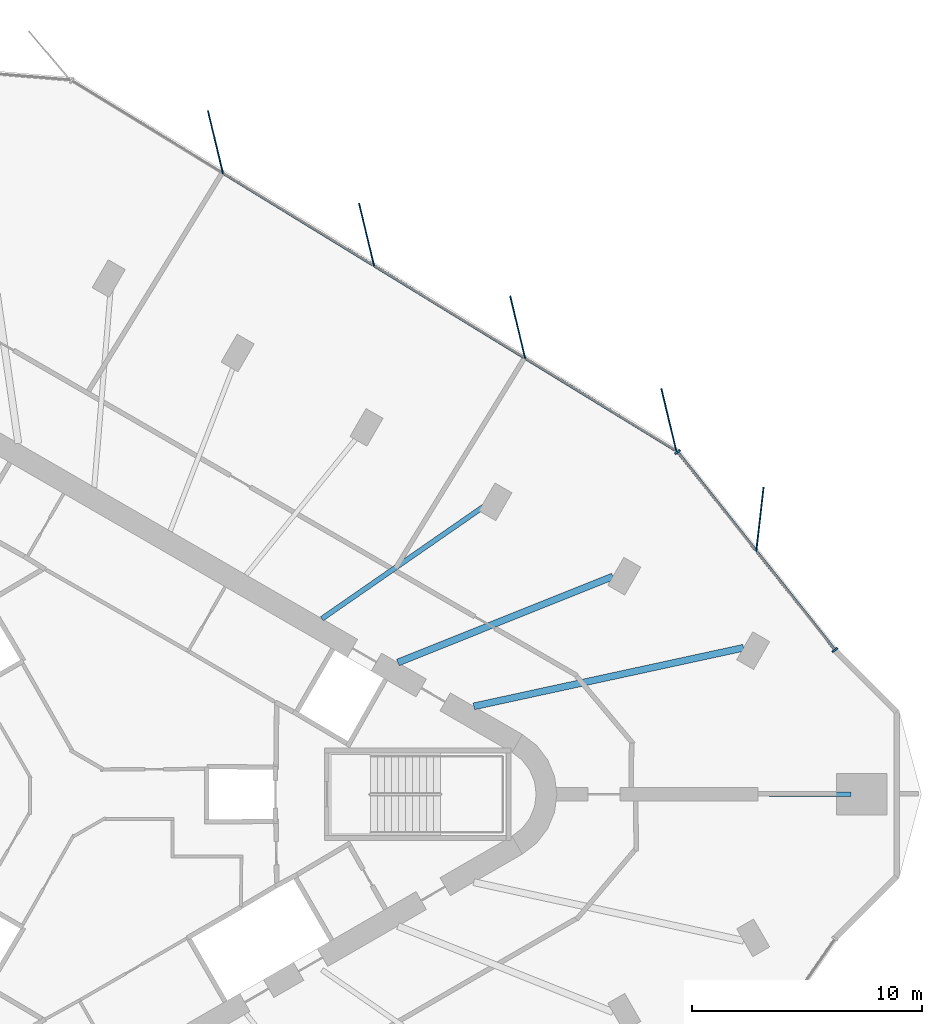
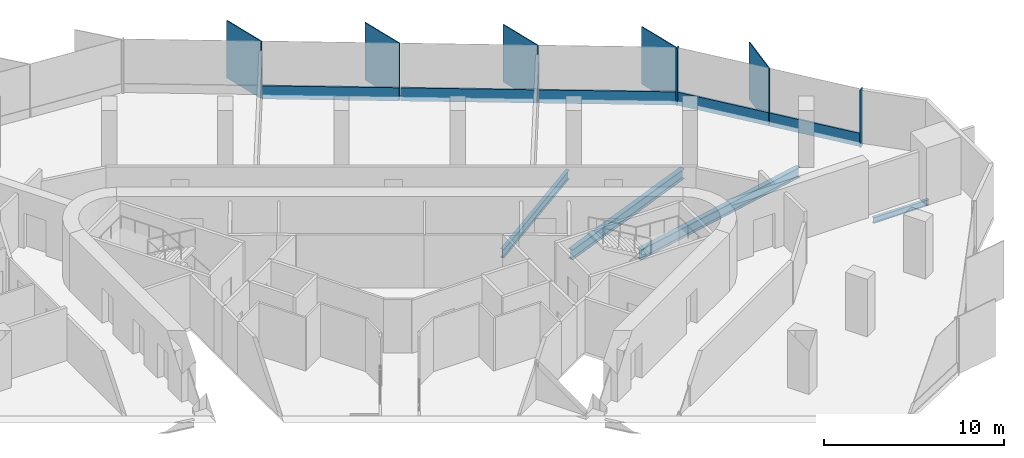
# One storey, part 5 of 13: 12 members, 4 beams, 2 elements without a shape of their own.
"""IFC4 building model written with IfcOpenShell, lengths in metres."""

from ifc_helpers import new_model, si_unit, direction, frame, origin, origin_2d, place, context, subcontext, project, spatial, rectangle, i_section, extrude, material, material_profile, profile_set, type_object, element, aggregate, save


model = new_model("IFC4")

# Units and contexts
model_context = context("Model", 3, precision=1e-05, world=origin(), true_north=direction((0.0, 1.0)))
body_context = subcontext(model_context, "Body", "Model", "MODEL_VIEW")
ifc_project = project(units=[si_unit("LENGTHUNIT", "METRE"), si_unit("AREAUNIT", "SQUARE_METRE"), si_unit("VOLUMEUNIT", "CUBIC_METRE"), si_unit("PLANEANGLEUNIT", "RADIAN"), si_unit("MASSUNIT", "GRAM", prefix="KILO")], contexts=[model_context])

# Site, building, storey
site_placement = place(None, origin())
site = spatial("IfcSite", under=ifc_project, at=site_placement, CompositionType="ELEMENT")
building_placement = place(site_placement, origin())
building = spatial("IfcBuilding", under=site, at=building_placement, Name="Tanit Gate Tower", CompositionType="ELEMENT")
storey_placement = place(building_placement, frame((0.0, 0.0, 322.10009765625)))
storey = spatial("IfcBuildingStorey", under=building, at=storey_placement, Name="L72", CompositionType="ELEMENT", Elevation=322.10009765625)

# Curtain wall, member
ifc_material_1 = material(Name="Aluminium bronze anodised and glass", Category="aluminium")
curtain_wall_type = type_object("IfcCurtainWallType", Name="Curtain wall typical high", PredefinedType="NOTDEFINED", material=ifc_material_1)
curtain_wall_1_placement = place(storey_placement, origin())
curtain_wall_1 = element("IfcCurtainWall", 1, at=curtain_wall_1_placement, inside=storey, type_object=curtain_wall_type, Name="Curtain wall L72 NE1", PredefinedType="NOTDEFINED")
ifc_material_2 = material(Name="Aluminium bronze anodised", Category="aluminium")
ifc_material_profile_1 = material_profile(ifc_material_2, rectangle(XDim=2.800048828125, YDim=0.055908203125, at=origin_2d()), Name="56x2800 bronze fin mullion")
ifc_profile_set_1 = profile_set([ifc_material_profile_1], Name="Aluminium bronze anodised")
member_type_1 = type_object("IfcMemberType", Name="FIN MULLION 56x2800 bronze", PredefinedType="MULLION", material=ifc_profile_set_1)
member_1_placement = place(storey_placement, frame((30.015869140625, 11.937255859375, -0.300048828125), z_axis=(0.0, 0.0, 1.0), x_axis=(-0.113810678884, -0.993502455645, 0.0)))
member_1 = element("IfcMember", 2, at=member_1_placement, type_object=member_type_1, Name="Fin mullion L72 NE1.2", PredefinedType="MULLION", context=body_context, shape_type="SweptSolid", body=[
    extrude(rectangle(XDim=2.800048828125, YDim=0.055908203125, at=origin_2d()), origin(), (0.0, 0.0, 1.0), 3.89990234375),
])

# Curtain wall, members
curtain_wall_2_placement = place(storey_placement, origin())
curtain_wall_2 = element("IfcCurtainWall", 3, at=curtain_wall_2_placement, inside=storey, type_object=curtain_wall_type, Name="Curtain wall L72 NE2", PredefinedType="NOTDEFINED")
member_2_placement = place(storey_placement, frame((26.061767578125, 16.259521484375, -0.300048828125), z_axis=(0.0, 0.0, 1.0), x_axis=(0.23355666729, -0.97234319207, 0.0)))
member_2 = element("IfcMember", 4, at=member_2_placement, type_object=member_type_1, Name="Fin mullion L72 NE2.1", PredefinedType="MULLION", context=body_context, shape_type="SweptSolid", body=[
    extrude(rectangle(XDim=2.800048828125, YDim=0.055908203125, at=origin_2d()), origin(), (0.0, 0.0, 1.0), 3.89990234375),
])
member_3_placement = place(storey_placement, frame((19.498046875, 20.28076171875, -0.300048828125), z_axis=(0.0, 0.0, 1.0), x_axis=(0.23355666729, -0.97234319207, 0.0)))
member_3 = element("IfcMember", 5, at=member_3_placement, type_object=member_type_1, Name="Fin mullion L72 NE2.2", PredefinedType="MULLION", context=body_context, shape_type="SweptSolid", body=[
    extrude(rectangle(XDim=2.800048828125, YDim=0.055908203125, at=origin_2d()), origin(), (0.0, 0.0, 1.0), 3.89990234375),
])
member_4_placement = place(storey_placement, frame((12.934326171875, 24.302001953125, -0.300048828125), z_axis=(0.0, 0.0, 1.0), x_axis=(0.23355666729, -0.97234319207, 0.0)))
member_4 = element("IfcMember", 6, at=member_4_placement, type_object=member_type_1, Name="Fin mullion L72 NE2.3", PredefinedType="MULLION", context=body_context, shape_type="SweptSolid", body=[
    extrude(rectangle(XDim=2.800048828125, YDim=0.055908203125, at=origin_2d()), origin(), (0.0, 0.0, 1.0), 3.89990234375),
])
member_5_placement = place(storey_placement, frame((6.37060546875, 28.3232421875, -0.300048828125), z_axis=(0.0, 0.0, 1.0), x_axis=(0.23355666729, -0.97234319207, 0.0)))
member_5 = element("IfcMember", 7, at=member_5_placement, type_object=member_type_1, Name="Fin mullion L72 NE2.4", PredefinedType="MULLION", context=body_context, shape_type="SweptSolid", body=[
    extrude(rectangle(XDim=2.800048828125, YDim=0.055908203125, at=origin_2d()), origin(), (0.0, 0.0, 1.0), 3.89990234375),
])

# Member
ifc_material_3 = material(Name="Aluminium bronze anodised", Category="aluminium")
ifc_material_profile_2 = material_profile(ifc_material_3, rectangle(XDim=0.280029296875, YDim=0.080078125, at=origin_2d()), Name="80x280 bronze mullion")
ifc_profile_set_2 = profile_set([ifc_material_profile_2], Name="Aluminium bronze anodised")
member_type_2 = type_object("IfcMemberType", Name="Mullion 80x280 typical high", PredefinedType="MULLION", material=ifc_profile_set_2)
member_6_placement = place(storey_placement, frame((33.2744140625, 6.2666015625, -0.300048828125), z_axis=(0.0, 0.0, 1.0), x_axis=(-0.782988626322, -0.622036020701, 0.0)))
member_6 = element("IfcMember", 8, at=member_6_placement, type_object=member_type_2, Name="Mullion L72 NE1.1", PredefinedType="MULLION", context=body_context, shape_type="SweptSolid", body=[
    extrude(rectangle(XDim=0.280029296875, YDim=0.080078125, at=origin_2d()), origin(), (0.0, 0.0, 1.0), 3.89990234375),
])

member_7_placement = place(storey_placement, frame((26.443115234375, 14.865478515625, -0.300048828125), z_axis=(0.0, 0.0, 1.0), x_axis=(-0.782988626322, -0.622036020701, 0.0)))
member_7 = element("IfcMember", 9, at=member_7_placement, type_object=member_type_2, Name="Mullion L72 NE1.3", PredefinedType="MULLION", context=body_context, shape_type="SweptSolid", body=[
    extrude(rectangle(XDim=0.280029296875, YDim=0.080078125, at=origin_2d()), origin(), (0.0, 0.0, 1.0), 3.89990234375),
])

# Beams
ifc_material_4 = material(Name="Steel S355", Category="steel")
ifc_material_profile_3 = material_profile(ifc_material_4, i_section(OverallWidth=0.300048828125, OverallDepth=0.68994140625, WebThickness=0.014404296875, FlangeThickness=0.027099609375, FilletRadius=0.027099609375, at=origin_2d()), Name="HEA 700")
ifc_profile_set_3 = profile_set([ifc_material_profile_3], Name="Steel S355")
beam_type_1 = type_object("IfcBeamType", Name="RADIAL GIRDER HEA 700 S355", PredefinedType="BEAM", material=ifc_profile_set_3)
beam_1_placement = place(storey_placement, frame((29.306396484375, 6.36279296875, -0.64501953125), z_axis=(-0.977231463817, -0.212176026275, 0.0), x_axis=(0.212176026275, -0.977231463817, 0.0)))
element("IfcBeam", 10, at=beam_1_placement, inside=storey, type_object=beam_type_1, Name="RADIAL GIRDER", PredefinedType="BEAM", context=body_context, shape_type="SweptSolid", body=[
    extrude(i_section(OverallWidth=0.300048828125, OverallDepth=0.68994140625, WebThickness=0.014404296875, FlangeThickness=0.027099609375, FilletRadius=0.027099609375, at=origin_2d()), origin(), (0.0, 0.0, 1.0), 11.98974609375),
])
beam_2_placement = place(storey_placement, frame((23.631103515625, 9.461181640625, -0.64501953125), z_axis=(-0.928359475125, -0.371683581753, 0.0), x_axis=(0.371683581753, -0.928359475125, 0.0)))
element("IfcBeam", 11, at=beam_2_placement, inside=storey, type_object=beam_type_1, Name="RADIAL GIRDER", PredefinedType="BEAM", context=body_context, shape_type="SweptSolid", body=[
    extrude(i_section(OverallWidth=0.300048828125, OverallDepth=0.68994140625, WebThickness=0.014404296875, FlangeThickness=0.027099609375, FilletRadius=0.027099609375, at=origin_2d()), origin(), (0.0, 0.0, 1.0), 10.05908203125),
])
ifc_material_5 = material(Name="Steel S355", Category="steel")
ifc_material_profile_4 = material_profile(ifc_material_5, i_section(OverallWidth=0.179931640625, OverallDepth=0.39990234375, WebThickness=0.008544921875, FlangeThickness=0.013427734375, FilletRadius=0.02099609375, at=origin_2d()), Name="IPE 400")
ifc_profile_set_4 = profile_set([ifc_material_profile_4], Name="Steel S355")
beam_type_2 = type_object("IfcBeamType", Name="RADIAL GIRDER IPE 400 S355", PredefinedType="BEAM", material=ifc_profile_set_4)
beam_3_placement = place(storey_placement, frame((33.98291015625, 0.0, -0.5), z_axis=(-1.0, 0.0, 0.0), x_axis=(0.0, -1.0, 0.0)))
element("IfcBeam", 12, at=beam_3_placement, inside=storey, type_object=beam_type_2, Name="RADIAL GIRDER", PredefinedType="BEAM", context=body_context, shape_type="SweptSolid", body=[
    extrude(i_section(OverallWidth=0.179931640625, OverallDepth=0.39990234375, WebThickness=0.008544921875, FlangeThickness=0.013427734375, FilletRadius=0.02099609375, at=origin_2d()), origin(), (0.0, 0.0, 1.0), 3.5791015625),
])
ifc_material_6 = material(Name="Steel S355", Category="steel")
ifc_material_profile_5 = material_profile(ifc_material_6, i_section(OverallWidth=0.219970703125, OverallDepth=0.60009765625, WebThickness=0.011962890625, FlangeThickness=0.01904296875, FilletRadius=0.02392578125, at=origin_2d()), Name="IPE 600")
ifc_profile_set_5 = profile_set([ifc_material_profile_5], Name="Steel S355")
beam_type_3 = type_object("IfcBeamType", Name="RADIAL GIRDER IPE 600 S355", PredefinedType="BEAM", material=ifc_profile_set_5)
beam_4_placement = place(storey_placement, frame((18.03564453125, 12.50732421875, -0.60009765625), z_axis=(-0.821738455581, -0.569864817847, 0.0), x_axis=(0.569864817847, -0.821738455581, 0.0)))
element("IfcBeam", 13, at=beam_4_placement, inside=storey, type_object=beam_type_3, Name="RADIAL GIRDER", PredefinedType="BEAM", context=body_context, shape_type="SweptSolid", body=[
    extrude(i_section(OverallWidth=0.219970703125, OverallDepth=0.60009765625, WebThickness=0.011962890625, FlangeThickness=0.01904296875, FilletRadius=0.02392578125, at=origin_2d()), origin(), (0.0, 0.0, 1.0), 8.566650390625),
])

# Member
ifc_material_7 = material(Name="Aluminium bronze anodised", Category="aluminium")
ifc_material_profile_6 = material_profile(ifc_material_7, rectangle(XDim=0.1201171875, YDim=0.89990234375, at=origin_2d()), Name="120x900 bronze transom")
ifc_profile_set_6 = profile_set([ifc_material_profile_6], Name="Aluminium bronze anodised")
member_type_3 = type_object("IfcMemberType", Name="Transom 120x900 typical high", PredefinedType="USERDEFINED", material=ifc_profile_set_6)
member_8_placement = place(storey_placement, frame((33.24951171875, 6.2978515625, 0.14990234375), z_axis=(-0.622044890855, 0.782981579452, 0.0), x_axis=(-0.782981579452, -0.622044890855, 0.0)))
member_8 = element("IfcMember", 14, at=member_8_placement, type_object=member_type_3, Name="Transom L72 NE1.1", ObjectType="TRANSOM", PredefinedType="USERDEFINED", context=body_context, shape_type="SweptSolid", body=[
    extrude(rectangle(XDim=0.1201171875, YDim=0.89990234375, at=origin_2d()), origin(), (0.0, 0.0, 1.0), 5.4111328125),
])

member_9_placement = place(storey_placement, frame((29.833740234375, 10.59716796875, 0.14990234375), z_axis=(-0.622017229508, 0.783003554395, 0.0), x_axis=(-0.783003554395, -0.622017229508, 0.0)))
member_9 = element("IfcMember", 15, at=member_9_placement, type_object=member_type_3, Name="Transom L72 NE1.2", ObjectType="TRANSOM", PredefinedType="USERDEFINED", context=body_context, shape_type="SweptSolid", body=[
    extrude(rectangle(XDim=0.1201171875, YDim=0.89990234375, at=origin_2d()), origin(), (0.0, 0.0, 1.0), 5.410888671875),
])

aggregate(curtain_wall_1, [member_6, member_1, member_7, member_8, member_9])

member_10_placement = place(storey_placement, frame((26.35009765625, 14.9384765625, 0.14990234375), z_axis=(-0.852699808999, 0.522401221029, 0.0), x_axis=(-0.522401221029, -0.852699808999, 0.0)))
member_10 = element("IfcMember", 16, at=member_10_placement, type_object=member_type_3, Name="Transom L72 NE2.1", ObjectType="TRANSOM", PredefinedType="USERDEFINED", context=body_context, shape_type="SweptSolid", body=[
    extrude(rectangle(XDim=0.1201171875, YDim=0.89990234375, at=origin_2d()), origin(), (0.0, 0.0, 1.0), 7.61767578125),
])

member_11_placement = place(storey_placement, frame((19.786376953125, 18.959716796875, 0.14990234375), z_axis=(-0.852699808999, 0.522401221029, 0.0), x_axis=(-0.522401221029, -0.852699808999, 0.0)))
member_11 = element("IfcMember", 17, at=member_11_placement, type_object=member_type_3, Name="Transom L72 NE2.2", ObjectType="TRANSOM", PredefinedType="USERDEFINED", context=body_context, shape_type="SweptSolid", body=[
    extrude(rectangle(XDim=0.1201171875, YDim=0.89990234375, at=origin_2d()), origin(), (0.0, 0.0, 1.0), 7.61767578125),
])

member_12_placement = place(storey_placement, frame((13.222412109375, 22.98095703125, 0.14990234375), z_axis=(-0.852691062329, 0.522415497687, 0.0), x_axis=(-0.522415497687, -0.852691062329, 0.0)))
member_12 = element("IfcMember", 18, at=member_12_placement, type_object=member_type_3, Name="Transom L72 NE2.3", ObjectType="TRANSOM", PredefinedType="USERDEFINED", context=body_context, shape_type="SweptSolid", body=[
    extrude(rectangle(XDim=0.1201171875, YDim=0.89990234375, at=origin_2d()), origin(), (0.0, 0.0, 1.0), 7.617431640625),
])

aggregate(curtain_wall_2, [member_2, member_3, member_4, member_5, member_10, member_11, member_12])

save(model, "model.ifc")
